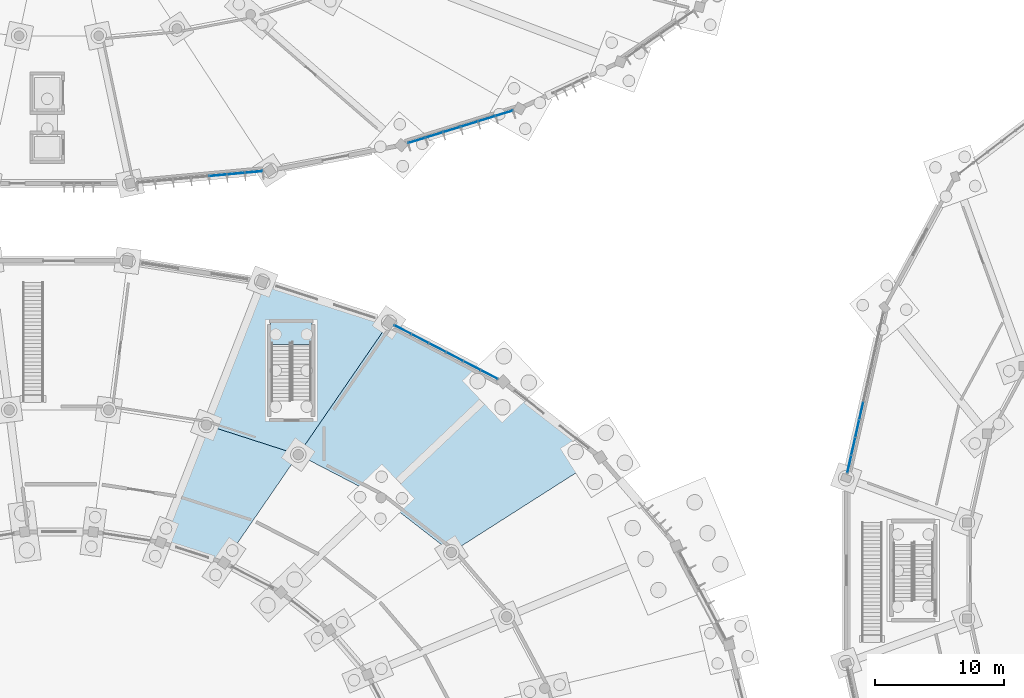
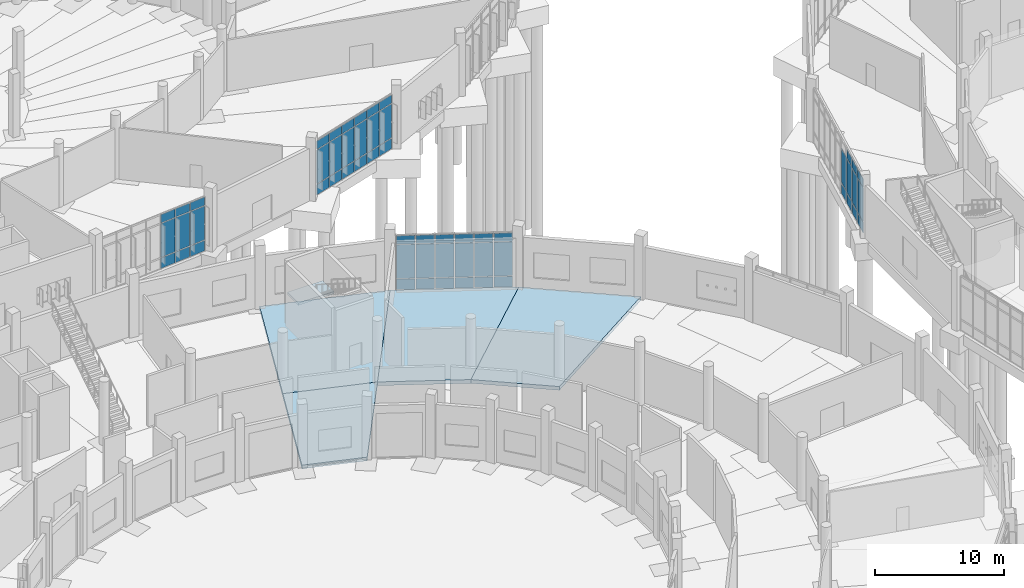
# One storey, part 67 of 140: 56 plates, 5 slabs, 5 elements without a shape of their own.
"""IFC4 building model written with IfcOpenShell, lengths in metres."""

from ifc_helpers import new_model, si_unit, direction, frame, origin, origin_2d, place, context, subcontext, project, spatial, polyline, rectangle, outline, extrude, material, layer, layer_set, type_object, element, aggregate, save


model = new_model("IFC4")

# Units and contexts
model_context = context("Model", 3, precision=1e-05, world=origin(), true_north=direction((0.0, 1.0)))
body_context = subcontext(model_context, "Body", "Model", "MODEL_VIEW")
ifc_project = project(units=[si_unit("LENGTHUNIT", "METRE"), si_unit("AREAUNIT", "SQUARE_METRE"), si_unit("VOLUMEUNIT", "CUBIC_METRE"), si_unit("PLANEANGLEUNIT", "RADIAN"), si_unit("MASSUNIT", "GRAM", prefix="KILO")], contexts=[model_context])

# Site, building, storey
site_placement = place(None, origin())
site = spatial("IfcSite", under=ifc_project, at=site_placement, CompositionType="ELEMENT")
building_placement = place(site_placement, origin())
building = spatial("IfcBuilding", under=site, at=building_placement, Name="Corvandel Quay Wholesale Market", CompositionType="ELEMENT")
storey_placement = place(building_placement, origin())
storey = spatial("IfcBuildingStorey", under=building, at=storey_placement, Name="L00", CompositionType="ELEMENT", Elevation=0.0)

# Curtain wall, plates
ifc_material_1 = material(Name="Bronze anodised aluminium and low-E insulated glazing", Category="aluminium")
ifc_layer_1 = layer(ifc_material_1, 0.174072265625)
ifc_layer_set_1 = layer_set([ifc_layer_1], Name="Bronze anodised aluminium and low-E insulated glazing")
curtain_wall_type_1 = type_object("IfcCurtainWallType", Name="Stick Curtain Wall System CW27 H5430", PredefinedType="NOTDEFINED", material=ifc_layer_set_1)
curtain_wall_1_placement = place(storey_placement, origin())
curtain_wall_1 = element("IfcCurtainWall", 1, at=curtain_wall_1_placement, inside=storey, type_object=curtain_wall_type_1, Name="Curtain Wall CW-0116", PredefinedType="NOTDEFINED")
ifc_material_2 = material(Name="Solar-control low-E insulated glazing", Category="glass")
ifc_layer_2 = layer(ifc_material_2, 0.033935546875)
ifc_layer_set_2 = layer_set([ifc_layer_2], Name="Solar-control low-E insulated glazing")
plate_type_1 = type_object("IfcPlateType", Name="Acoustic Laminated Vision Panel PN02 34mm", PredefinedType="CURTAIN_PANEL", material=ifc_layer_set_2)
plate_1_placement = place(storey_placement, frame((126.3173828125, 90.6279296875, 0.0322265625), z_axis=(0.0, 0.0, 1.0), x_axis=(0.995756880939, 0.092023008338, 0.0)))
plate_1 = element("IfcPlate", 2, at=plate_1_placement, type_object=plate_type_1, Name="Glazing Panel CW-0116-P04-0", PredefinedType="CURTAIN_PANEL", context=body_context, shape_type="SweptSolid", body=[
    extrude(rectangle(XDim=1.3330078125, YDim=0.033935546875, at=origin_2d()), origin(), (0.0, 0.0, 1.0), 0.985107421875),
])
plate_2_placement = place(storey_placement, frame((126.3173828125, 90.6279296875, 1.08251953125), z_axis=(0.0, 0.0, 1.0), x_axis=(0.995756880939, 0.092023008338, 0.0)))
plate_2 = element("IfcPlate", 3, at=plate_2_placement, type_object=plate_type_1, Name="Glazing Panel CW-0116-P04-1", PredefinedType="CURTAIN_PANEL", context=body_context, shape_type="SweptSolid", body=[
    extrude(rectangle(XDim=1.3330078125, YDim=0.033935546875, at=origin_2d()), origin(), (0.0, 0.0, 1.0), 3.18505859375),
])
plate_3_placement = place(storey_placement, frame((127.70947265625, 90.756591796875, 0.0322265625), z_axis=(0.0, 0.0, 1.0), x_axis=(0.995756880939, 0.092023008338, 0.0)))
plate_3 = element("IfcPlate", 4, at=plate_3_placement, type_object=plate_type_1, Name="Glazing Panel CW-0116-P05-0", PredefinedType="CURTAIN_PANEL", context=body_context, shape_type="SweptSolid", body=[
    extrude(rectangle(XDim=1.3330078125, YDim=0.033935546875, at=origin_2d()), origin(), (0.0, 0.0, 1.0), 0.985107421875),
])
plate_4_placement = place(storey_placement, frame((127.70947265625, 90.756591796875, 1.08251953125), z_axis=(0.0, 0.0, 1.0), x_axis=(0.995756880939, 0.092023008338, 0.0)))
plate_4 = element("IfcPlate", 5, at=plate_4_placement, type_object=plate_type_1, Name="Glazing Panel CW-0116-P05-1", PredefinedType="CURTAIN_PANEL", context=body_context, shape_type="SweptSolid", body=[
    extrude(rectangle(XDim=1.3330078125, YDim=0.033935546875, at=origin_2d()), origin(), (0.0, 0.0, 1.0), 3.18505859375),
])
plate_5_placement = place(storey_placement, frame((129.101318359375, 90.885009765625, 0.0322265625), z_axis=(0.0, 0.0, 1.0), x_axis=(0.995756880939, 0.092023008338, 0.0)))
plate_5 = element("IfcPlate", 6, at=plate_5_placement, type_object=plate_type_1, Name="Glazing Panel CW-0116-P06-0", PredefinedType="CURTAIN_PANEL", context=body_context, shape_type="SweptSolid", body=[
    extrude(rectangle(XDim=1.3330078125, YDim=0.033935546875, at=origin_2d()), origin(), (0.0, 0.0, 1.0), 0.985107421875),
])
plate_6_placement = place(storey_placement, frame((129.101318359375, 90.885009765625, 1.08251953125), z_axis=(0.0, 0.0, 1.0), x_axis=(0.995756880939, 0.092023008338, 0.0)))
plate_6 = element("IfcPlate", 7, at=plate_6_placement, type_object=plate_type_1, Name="Glazing Panel CW-0116-P06-1", PredefinedType="CURTAIN_PANEL", context=body_context, shape_type="SweptSolid", body=[
    extrude(rectangle(XDim=1.3330078125, YDim=0.033935546875, at=origin_2d()), origin(), (0.0, 0.0, 1.0), 3.18505859375),
])

ifc_layer_3 = layer(ifc_material_1, 0.162109375)
ifc_layer_set_3 = layer_set([ifc_layer_3], Name="Bronze anodised aluminium and low-E insulated glazing")
curtain_wall_type_2 = type_object("IfcCurtainWallType", Name="Stick Curtain Wall System CW01 H3090", PredefinedType="NOTDEFINED", material=ifc_layer_set_3)
curtain_wall_2_placement = place(storey_placement, origin())
curtain_wall_2 = element("IfcCurtainWall", 8, at=curtain_wall_2_placement, inside=storey, type_object=curtain_wall_type_2, Name="Curtain Wall CW-0122", PredefinedType="NOTDEFINED")
plate_7_placement = place(storey_placement, frame((141.72021484375, 93.329345703125, 0.0322265625), z_axis=(0.0, 0.0, 1.0), x_axis=(0.955123398809, 0.296208192067, 0.0)))
plate_7 = element("IfcPlate", 9, at=plate_7_placement, type_object=plate_type_1, Name="Glazing Panel CW-0122-P00-0", PredefinedType="CURTAIN_PANEL", context=body_context, shape_type="SweptSolid", body=[
    extrude(rectangle(XDim=1.35546875, YDim=0.033935546875, at=origin_2d()), origin(), (0.0, 0.0, 1.0), 0.985107421875),
])
plate_8_placement = place(storey_placement, frame((141.72021484375, 93.329345703125, 1.08251953125), z_axis=(0.0, 0.0, 1.0), x_axis=(0.955123398809, 0.296208192067, 0.0)))
plate_8 = element("IfcPlate", 10, at=plate_8_placement, type_object=plate_type_1, Name="Glazing Panel CW-0122-P00-1", PredefinedType="CURTAIN_PANEL", context=body_context, shape_type="SweptSolid", body=[
    extrude(rectangle(XDim=1.35546875, YDim=0.033935546875, at=origin_2d()), origin(), (0.0, 0.0, 1.0), 3.18505859375),
])
plate_9_placement = place(storey_placement, frame((143.076904296875, 93.750244140625, 0.0322265625), z_axis=(0.0, 0.0, 1.0), x_axis=(0.955123398809, 0.296208192067, 0.0)))
plate_9 = element("IfcPlate", 11, at=plate_9_placement, type_object=plate_type_1, Name="Glazing Panel CW-0122-P01-0", PredefinedType="CURTAIN_PANEL", context=body_context, shape_type="SweptSolid", body=[
    extrude(rectangle(XDim=1.35546875, YDim=0.033935546875, at=origin_2d()), origin(), (0.0, 0.0, 1.0), 0.985107421875),
])
plate_10_placement = place(storey_placement, frame((143.076904296875, 93.750244140625, 1.08251953125), z_axis=(0.0, 0.0, 1.0), x_axis=(0.955123398809, 0.296208192067, 0.0)))
plate_10 = element("IfcPlate", 12, at=plate_10_placement, type_object=plate_type_1, Name="Glazing Panel CW-0122-P01-1", PredefinedType="CURTAIN_PANEL", context=body_context, shape_type="SweptSolid", body=[
    extrude(rectangle(XDim=1.35546875, YDim=0.033935546875, at=origin_2d()), origin(), (0.0, 0.0, 1.0), 3.18505859375),
])
plate_11_placement = place(storey_placement, frame((144.43359375, 94.171142578125, 0.0322265625), z_axis=(0.0, 0.0, 1.0), x_axis=(0.955123398809, 0.296208192067, 0.0)))
plate_11 = element("IfcPlate", 13, at=plate_11_placement, type_object=plate_type_1, Name="Glazing Panel CW-0122-P02-0", PredefinedType="CURTAIN_PANEL", context=body_context, shape_type="SweptSolid", body=[
    extrude(rectangle(XDim=1.35546875, YDim=0.033935546875, at=origin_2d()), origin(), (0.0, 0.0, 1.0), 0.985107421875),
])
plate_12_placement = place(storey_placement, frame((144.43359375, 94.171142578125, 1.08251953125), z_axis=(0.0, 0.0, 1.0), x_axis=(0.955123398809, 0.296208192067, 0.0)))
plate_12 = element("IfcPlate", 14, at=plate_12_placement, type_object=plate_type_1, Name="Glazing Panel CW-0122-P02-1", PredefinedType="CURTAIN_PANEL", context=body_context, shape_type="SweptSolid", body=[
    extrude(rectangle(XDim=1.35546875, YDim=0.033935546875, at=origin_2d()), origin(), (0.0, 0.0, 1.0), 3.18505859375),
])
plate_13_placement = place(storey_placement, frame((145.790283203125, 94.591796875, 0.0322265625), z_axis=(0.0, 0.0, 1.0), x_axis=(0.955123398809, 0.296208192067, 0.0)))
plate_13 = element("IfcPlate", 15, at=plate_13_placement, type_object=plate_type_1, Name="Glazing Panel CW-0122-P03-0", PredefinedType="CURTAIN_PANEL", context=body_context, shape_type="SweptSolid", body=[
    extrude(rectangle(XDim=1.35546875, YDim=0.033935546875, at=origin_2d()), origin(), (0.0, 0.0, 1.0), 0.985107421875),
])
plate_14_placement = place(storey_placement, frame((145.790283203125, 94.591796875, 1.08251953125), z_axis=(0.0, 0.0, 1.0), x_axis=(0.955123398809, 0.296208192067, 0.0)))
plate_14 = element("IfcPlate", 16, at=plate_14_placement, type_object=plate_type_1, Name="Glazing Panel CW-0122-P03-1", PredefinedType="CURTAIN_PANEL", context=body_context, shape_type="SweptSolid", body=[
    extrude(rectangle(XDim=1.35546875, YDim=0.033935546875, at=origin_2d()), origin(), (0.0, 0.0, 1.0), 3.18505859375),
])
plate_15_placement = place(storey_placement, frame((147.147216796875, 95.0126953125, 0.0322265625), z_axis=(0.0, 0.0, 1.0), x_axis=(0.955123398809, 0.296208192067, 0.0)))
plate_15 = element("IfcPlate", 17, at=plate_15_placement, type_object=plate_type_1, Name="Glazing Panel CW-0122-P04-0", PredefinedType="CURTAIN_PANEL", context=body_context, shape_type="SweptSolid", body=[
    extrude(rectangle(XDim=1.35546875, YDim=0.033935546875, at=origin_2d()), origin(), (0.0, 0.0, 1.0), 0.985107421875),
])
plate_16_placement = place(storey_placement, frame((147.147216796875, 95.0126953125, 1.08251953125), z_axis=(0.0, 0.0, 1.0), x_axis=(0.955123398809, 0.296208192067, 0.0)))
plate_16 = element("IfcPlate", 18, at=plate_16_placement, type_object=plate_type_1, Name="Glazing Panel CW-0122-P04-1", PredefinedType="CURTAIN_PANEL", context=body_context, shape_type="SweptSolid", body=[
    extrude(rectangle(XDim=1.35546875, YDim=0.033935546875, at=origin_2d()), origin(), (0.0, 0.0, 1.0), 3.18505859375),
])
plate_17_placement = place(storey_placement, frame((148.50390625, 95.43359375, 0.0322265625), z_axis=(0.0, 0.0, 1.0), x_axis=(0.955123398809, 0.296208192067, 0.0)))
plate_17 = element("IfcPlate", 19, at=plate_17_placement, type_object=plate_type_1, Name="Glazing Panel CW-0122-P05-0", PredefinedType="CURTAIN_PANEL", context=body_context, shape_type="SweptSolid", body=[
    extrude(rectangle(XDim=1.35546875, YDim=0.033935546875, at=origin_2d()), origin(), (0.0, 0.0, 1.0), 0.985107421875),
])
plate_18_placement = place(storey_placement, frame((148.50390625, 95.43359375, 1.08251953125), z_axis=(0.0, 0.0, 1.0), x_axis=(0.955123398809, 0.296208192067, 0.0)))
plate_18 = element("IfcPlate", 20, at=plate_18_placement, type_object=plate_type_1, Name="Glazing Panel CW-0122-P05-1", PredefinedType="CURTAIN_PANEL", context=body_context, shape_type="SweptSolid", body=[
    extrude(rectangle(XDim=1.35546875, YDim=0.033935546875, at=origin_2d()), origin(), (0.0, 0.0, 1.0), 3.18505859375),
])

ifc_layer_4 = layer(ifc_material_1, 0.14990234375)
ifc_layer_set_4 = layer_set([ifc_layer_4], Name="Bronze anodised aluminium and low-E insulated glazing")
curtain_wall_type_3 = type_object("IfcCurtainWallType", Name="Stick Curtain Wall System CW05 H3450", PredefinedType="NOTDEFINED", material=ifc_layer_set_4)
curtain_wall_3_placement = place(storey_placement, origin())
curtain_wall_3 = element("IfcCurtainWall", 21, at=curtain_wall_3_placement, inside=storey, type_object=curtain_wall_type_3, Name="Curtain Wall CW-0012", PredefinedType="NOTDEFINED")
ifc_layer_5 = layer(ifc_material_2, 0.0400390625)
ifc_layer_set_5 = layer_set([ifc_layer_5], Name="Solar-control low-E insulated glazing")
plate_type_2 = type_object("IfcPlateType", Name="Ceramic Fritted Spandrel Panel PN03 40mm", PredefinedType="CURTAIN_PANEL", material=ifc_layer_set_5)
plate_19_placement = place(storey_placement, frame((147.353271484375, 75.179931640625, 4.33251953125), z_axis=(0.0, 0.0, 1.0), x_axis=(-0.887332978338, 0.461129250378, 0.0)))
plate_19 = element("IfcPlate", 22, at=plate_19_placement, type_object=plate_type_2, Name="Glazing Panel CW-0012-P00-2", PredefinedType="CURTAIN_PANEL", context=body_context, shape_type="SweptSolid", body=[
    extrude(rectangle(XDim=1.4462890625, YDim=0.0400390625, at=origin_2d()), origin(), (0.0, 0.0, 1.0), 0.784912109375),
])
plate_20_placement = place(storey_placement, frame((146.01220703125, 75.876708984375, 4.33251953125), z_axis=(0.0, 0.0, 1.0), x_axis=(-0.887332978338, 0.461129250378, 0.0)))
plate_20 = element("IfcPlate", 23, at=plate_20_placement, type_object=plate_type_2, Name="Glazing Panel CW-0012-P01-2", PredefinedType="CURTAIN_PANEL", context=body_context, shape_type="SweptSolid", body=[
    extrude(rectangle(XDim=1.4462890625, YDim=0.0400390625, at=origin_2d()), origin(), (0.0, 0.0, 1.0), 0.784912109375),
])
plate_21_placement = place(storey_placement, frame((144.67138671875, 76.573486328125, 4.33251953125), z_axis=(0.0, 0.0, 1.0), x_axis=(-0.887332978338, 0.461129250378, 0.0)))
plate_21 = element("IfcPlate", 24, at=plate_21_placement, type_object=plate_type_2, Name="Glazing Panel CW-0012-P02-2", PredefinedType="CURTAIN_PANEL", context=body_context, shape_type="SweptSolid", body=[
    extrude(rectangle(XDim=1.4462890625, YDim=0.0400390625, at=origin_2d()), origin(), (0.0, 0.0, 1.0), 0.784912109375),
])
plate_22_placement = place(storey_placement, frame((143.33056640625, 77.2705078125, 4.33251953125), z_axis=(0.0, 0.0, 1.0), x_axis=(-0.887332978338, 0.461129250378, 0.0)))
plate_22 = element("IfcPlate", 25, at=plate_22_placement, type_object=plate_type_2, Name="Glazing Panel CW-0012-P03-2", PredefinedType="CURTAIN_PANEL", context=body_context, shape_type="SweptSolid", body=[
    extrude(rectangle(XDim=1.4462890625, YDim=0.0400390625, at=origin_2d()), origin(), (0.0, 0.0, 1.0), 0.784912109375),
])
plate_23_placement = place(storey_placement, frame((141.989501953125, 77.96728515625, 4.33251953125), z_axis=(0.0, 0.0, 1.0), x_axis=(-0.887332978338, 0.461129250378, 0.0)))
plate_23 = element("IfcPlate", 26, at=plate_23_placement, type_object=plate_type_2, Name="Glazing Panel CW-0012-P04-2", PredefinedType="CURTAIN_PANEL", context=body_context, shape_type="SweptSolid", body=[
    extrude(rectangle(XDim=1.4462890625, YDim=0.0400390625, at=origin_2d()), origin(), (0.0, 0.0, 1.0), 0.784912109375),
])
plate_24_placement = place(storey_placement, frame((140.648681640625, 78.6640625, 4.33251953125), z_axis=(0.0, 0.0, 1.0), x_axis=(-0.887332978338, 0.461129250378, 0.0)))
plate_24 = element("IfcPlate", 27, at=plate_24_placement, type_object=plate_type_2, Name="Glazing Panel CW-0012-P05-2", PredefinedType="CURTAIN_PANEL", context=body_context, shape_type="SweptSolid", body=[
    extrude(rectangle(XDim=1.4462890625, YDim=0.0400390625, at=origin_2d()), origin(), (0.0, 0.0, 1.0), 0.784912109375),
])

# Plate
plate_25_placement = place(storey_placement, frame((126.3173828125, 90.6279296875, 4.33251953125), z_axis=(0.0, 0.0, 1.0), x_axis=(0.995756880939, 0.092023008338, 0.0)))
plate_25 = element("IfcPlate", 28, at=plate_25_placement, type_object=plate_type_2, Name="Glazing Panel CW-0116-P04-2", PredefinedType="CURTAIN_PANEL", context=body_context, shape_type="SweptSolid", body=[
    extrude(rectangle(XDim=1.3330078125, YDim=0.0400390625, at=origin_2d()), origin(), (0.0, 0.0, 1.0), 0.784912109375),
])

plate_26_placement = place(storey_placement, frame((127.70947265625, 90.756591796875, 4.33251953125), z_axis=(0.0, 0.0, 1.0), x_axis=(0.995756880939, 0.092023008338, 0.0)))
plate_26 = element("IfcPlate", 29, at=plate_26_placement, type_object=plate_type_2, Name="Glazing Panel CW-0116-P05-2", PredefinedType="CURTAIN_PANEL", context=body_context, shape_type="SweptSolid", body=[
    extrude(rectangle(XDim=1.3330078125, YDim=0.0400390625, at=origin_2d()), origin(), (0.0, 0.0, 1.0), 0.784912109375),
])

plate_27_placement = place(storey_placement, frame((129.101318359375, 90.885009765625, 4.33251953125), z_axis=(0.0, 0.0, 1.0), x_axis=(0.995756880939, 0.092023008338, 0.0)))
plate_27 = element("IfcPlate", 30, at=plate_27_placement, type_object=plate_type_2, Name="Glazing Panel CW-0116-P06-2", PredefinedType="CURTAIN_PANEL", context=body_context, shape_type="SweptSolid", body=[
    extrude(rectangle(XDim=1.3330078125, YDim=0.0400390625, at=origin_2d()), origin(), (0.0, 0.0, 1.0), 0.784912109375),
])

aggregate(curtain_wall_1, [plate_1, plate_2, plate_25, plate_3, plate_4, plate_26, plate_5, plate_6, plate_27])

plate_28_placement = place(storey_placement, frame((141.72021484375, 93.329345703125, 4.33251953125), z_axis=(0.0, 0.0, 1.0), x_axis=(0.955123398809, 0.296208192067, 0.0)))
plate_28 = element("IfcPlate", 31, at=plate_28_placement, type_object=plate_type_2, Name="Glazing Panel CW-0122-P00-2", PredefinedType="CURTAIN_PANEL", context=body_context, shape_type="SweptSolid", body=[
    extrude(rectangle(XDim=1.35546875, YDim=0.0400390625, at=origin_2d()), origin(), (0.0, 0.0, 1.0), 0.784912109375),
])

plate_29_placement = place(storey_placement, frame((143.076904296875, 93.750244140625, 4.33251953125), z_axis=(0.0, 0.0, 1.0), x_axis=(0.955123398809, 0.296208192067, 0.0)))
plate_29 = element("IfcPlate", 32, at=plate_29_placement, type_object=plate_type_2, Name="Glazing Panel CW-0122-P01-2", PredefinedType="CURTAIN_PANEL", context=body_context, shape_type="SweptSolid", body=[
    extrude(rectangle(XDim=1.35546875, YDim=0.0400390625, at=origin_2d()), origin(), (0.0, 0.0, 1.0), 0.784912109375),
])

plate_30_placement = place(storey_placement, frame((144.43359375, 94.171142578125, 4.33251953125), z_axis=(0.0, 0.0, 1.0), x_axis=(0.955123398809, 0.296208192067, 0.0)))
plate_30 = element("IfcPlate", 33, at=plate_30_placement, type_object=plate_type_2, Name="Glazing Panel CW-0122-P02-2", PredefinedType="CURTAIN_PANEL", context=body_context, shape_type="SweptSolid", body=[
    extrude(rectangle(XDim=1.35546875, YDim=0.0400390625, at=origin_2d()), origin(), (0.0, 0.0, 1.0), 0.784912109375),
])

plate_31_placement = place(storey_placement, frame((145.790283203125, 94.591796875, 4.33251953125), z_axis=(0.0, 0.0, 1.0), x_axis=(0.955123398809, 0.296208192067, 0.0)))
plate_31 = element("IfcPlate", 34, at=plate_31_placement, type_object=plate_type_2, Name="Glazing Panel CW-0122-P03-2", PredefinedType="CURTAIN_PANEL", context=body_context, shape_type="SweptSolid", body=[
    extrude(rectangle(XDim=1.35546875, YDim=0.0400390625, at=origin_2d()), origin(), (0.0, 0.0, 1.0), 0.784912109375),
])

plate_32_placement = place(storey_placement, frame((147.147216796875, 95.0126953125, 4.33251953125), z_axis=(0.0, 0.0, 1.0), x_axis=(0.955123398809, 0.296208192067, 0.0)))
plate_32 = element("IfcPlate", 35, at=plate_32_placement, type_object=plate_type_2, Name="Glazing Panel CW-0122-P04-2", PredefinedType="CURTAIN_PANEL", context=body_context, shape_type="SweptSolid", body=[
    extrude(rectangle(XDim=1.35546875, YDim=0.0400390625, at=origin_2d()), origin(), (0.0, 0.0, 1.0), 0.784912109375),
])

plate_33_placement = place(storey_placement, frame((148.50390625, 95.43359375, 4.33251953125), z_axis=(0.0, 0.0, 1.0), x_axis=(0.955123398809, 0.296208192067, 0.0)))
plate_33 = element("IfcPlate", 36, at=plate_33_placement, type_object=plate_type_2, Name="Glazing Panel CW-0122-P05-2", PredefinedType="CURTAIN_PANEL", context=body_context, shape_type="SweptSolid", body=[
    extrude(rectangle(XDim=1.35546875, YDim=0.0400390625, at=origin_2d()), origin(), (0.0, 0.0, 1.0), 0.784912109375),
])

aggregate(curtain_wall_2, [plate_7, plate_8, plate_28, plate_9, plate_10, plate_29, plate_11, plate_12, plate_30, plate_13, plate_14, plate_31, plate_15, plate_16, plate_32, plate_17, plate_18, plate_33])

# Curtain wall, plates
ifc_layer_6 = layer(ifc_material_1, 0.18603515625)
ifc_layer_set_6 = layer_set([ifc_layer_6], Name="Bronze anodised aluminium and low-E insulated glazing")
curtain_wall_type_4 = type_object("IfcCurtainWallType", Name="Stick Curtain Wall System CW08 H3720", PredefinedType="NOTDEFINED", material=ifc_layer_set_6)
curtain_wall_4_placement = place(storey_placement, origin())
curtain_wall_4 = element("IfcCurtainWall", 37, at=curtain_wall_4_placement, inside=storey, type_object=curtain_wall_type_4, Name="Curtain Wall CW-0135", PredefinedType="NOTDEFINED")
plate_34_placement = place(storey_placement, frame((175.86376953125, 71.009765625, 4.33251953125), z_axis=(0.0, 0.0, 1.0), x_axis=(0.218994806262, 0.975726024471, 0.0)))
plate_34 = element("IfcPlate", 38, at=plate_34_placement, type_object=plate_type_2, Name="Glazing Panel CW-0135-P06-2", PredefinedType="CURTAIN_PANEL", context=body_context, shape_type="SweptSolid", body=[
    extrude(rectangle(XDim=1.352783203125, YDim=0.0400390625, at=origin_2d()), origin(), (0.0, 0.0, 1.0), 0.784912109375),
])
plate_35_placement = place(storey_placement, frame((175.55322265625, 69.62646484375, 4.33251953125), z_axis=(0.0, 0.0, 1.0), x_axis=(0.218994806262, 0.975726024471, 0.0)))
plate_35 = element("IfcPlate", 39, at=plate_35_placement, type_object=plate_type_2, Name="Glazing Panel CW-0135-P07-2", PredefinedType="CURTAIN_PANEL", context=body_context, shape_type="SweptSolid", body=[
    extrude(rectangle(XDim=1.352783203125, YDim=0.0400390625, at=origin_2d()), origin(), (0.0, 0.0, 1.0), 0.784912109375),
])
plate_36_placement = place(storey_placement, frame((175.242919921875, 68.242919921875, 4.33251953125), z_axis=(0.0, 0.0, 1.0), x_axis=(0.218994806262, 0.975726024471, 0.0)))
plate_36 = element("IfcPlate", 40, at=plate_36_placement, type_object=plate_type_2, Name="Glazing Panel CW-0135-P08-2", PredefinedType="CURTAIN_PANEL", context=body_context, shape_type="SweptSolid", body=[
    extrude(rectangle(XDim=1.352783203125, YDim=0.0400390625, at=origin_2d()), origin(), (0.0, 0.0, 1.0), 0.784912109375),
])

# Plate
ifc_layer_7 = layer(ifc_material_2, 0.028076171875)
ifc_layer_set_7 = layer_set([ifc_layer_7], Name="Solar-control low-E insulated glazing")
plate_type_3 = type_object("IfcPlateType", Name="Double Low-E Vision Panel PN01 28mm", PredefinedType="CURTAIN_PANEL", material=ifc_layer_set_7)
plate_37_placement = place(storey_placement, frame((147.353271484375, 75.179931640625, 0.0322265625), z_axis=(0.0, 0.0, 1.0), x_axis=(-0.887332978338, 0.461129250378, 0.0)))
plate_37 = element("IfcPlate", 41, at=plate_37_placement, type_object=plate_type_3, Name="Glazing Panel CW-0012-P00-0", PredefinedType="CURTAIN_PANEL", context=body_context, shape_type="SweptSolid", body=[
    extrude(rectangle(XDim=1.4462890625, YDim=0.028076171875, at=origin_2d()), origin(), (0.0, 0.0, 1.0), 0.985107421875),
])

plate_38_placement = place(storey_placement, frame((147.353271484375, 75.179931640625, 1.08251953125), z_axis=(0.0, 0.0, 1.0), x_axis=(-0.887332978338, 0.461129250378, 0.0)))
plate_38 = element("IfcPlate", 42, at=plate_38_placement, type_object=plate_type_3, Name="Glazing Panel CW-0012-P00-1", PredefinedType="CURTAIN_PANEL", context=body_context, shape_type="SweptSolid", body=[
    extrude(rectangle(XDim=1.4462890625, YDim=0.028076171875, at=origin_2d()), origin(), (0.0, 0.0, 1.0), 3.18505859375),
])

plate_39_placement = place(storey_placement, frame((146.01220703125, 75.876708984375, 0.0322265625), z_axis=(0.0, 0.0, 1.0), x_axis=(-0.887332978338, 0.461129250378, 0.0)))
plate_39 = element("IfcPlate", 43, at=plate_39_placement, type_object=plate_type_3, Name="Glazing Panel CW-0012-P01-0", PredefinedType="CURTAIN_PANEL", context=body_context, shape_type="SweptSolid", body=[
    extrude(rectangle(XDim=1.4462890625, YDim=0.028076171875, at=origin_2d()), origin(), (0.0, 0.0, 1.0), 0.985107421875),
])

plate_40_placement = place(storey_placement, frame((146.01220703125, 75.876708984375, 1.08251953125), z_axis=(0.0, 0.0, 1.0), x_axis=(-0.887332978338, 0.461129250378, 0.0)))
plate_40 = element("IfcPlate", 44, at=plate_40_placement, type_object=plate_type_3, Name="Glazing Panel CW-0012-P01-1", PredefinedType="CURTAIN_PANEL", context=body_context, shape_type="SweptSolid", body=[
    extrude(rectangle(XDim=1.4462890625, YDim=0.028076171875, at=origin_2d()), origin(), (0.0, 0.0, 1.0), 3.18505859375),
])

plate_41_placement = place(storey_placement, frame((144.67138671875, 76.573486328125, 0.0322265625), z_axis=(0.0, 0.0, 1.0), x_axis=(-0.887332978338, 0.461129250378, 0.0)))
plate_41 = element("IfcPlate", 45, at=plate_41_placement, type_object=plate_type_3, Name="Glazing Panel CW-0012-P02-0", PredefinedType="CURTAIN_PANEL", context=body_context, shape_type="SweptSolid", body=[
    extrude(rectangle(XDim=1.4462890625, YDim=0.028076171875, at=origin_2d()), origin(), (0.0, 0.0, 1.0), 0.985107421875),
])

plate_42_placement = place(storey_placement, frame((144.67138671875, 76.573486328125, 1.08251953125), z_axis=(0.0, 0.0, 1.0), x_axis=(-0.887332978338, 0.461129250378, 0.0)))
plate_42 = element("IfcPlate", 46, at=plate_42_placement, type_object=plate_type_3, Name="Glazing Panel CW-0012-P02-1", PredefinedType="CURTAIN_PANEL", context=body_context, shape_type="SweptSolid", body=[
    extrude(rectangle(XDim=1.4462890625, YDim=0.028076171875, at=origin_2d()), origin(), (0.0, 0.0, 1.0), 3.18505859375),
])

plate_43_placement = place(storey_placement, frame((143.33056640625, 77.2705078125, 0.0322265625), z_axis=(0.0, 0.0, 1.0), x_axis=(-0.887332978338, 0.461129250378, 0.0)))
plate_43 = element("IfcPlate", 47, at=plate_43_placement, type_object=plate_type_3, Name="Glazing Panel CW-0012-P03-0", PredefinedType="CURTAIN_PANEL", context=body_context, shape_type="SweptSolid", body=[
    extrude(rectangle(XDim=1.4462890625, YDim=0.028076171875, at=origin_2d()), origin(), (0.0, 0.0, 1.0), 0.985107421875),
])

plate_44_placement = place(storey_placement, frame((143.33056640625, 77.2705078125, 1.08251953125), z_axis=(0.0, 0.0, 1.0), x_axis=(-0.887332978338, 0.461129250378, 0.0)))
plate_44 = element("IfcPlate", 48, at=plate_44_placement, type_object=plate_type_3, Name="Glazing Panel CW-0012-P03-1", PredefinedType="CURTAIN_PANEL", context=body_context, shape_type="SweptSolid", body=[
    extrude(rectangle(XDim=1.4462890625, YDim=0.028076171875, at=origin_2d()), origin(), (0.0, 0.0, 1.0), 3.18505859375),
])

plate_45_placement = place(storey_placement, frame((141.989501953125, 77.96728515625, 0.0322265625), z_axis=(0.0, 0.0, 1.0), x_axis=(-0.887332978338, 0.461129250378, 0.0)))
plate_45 = element("IfcPlate", 49, at=plate_45_placement, type_object=plate_type_3, Name="Glazing Panel CW-0012-P04-0", PredefinedType="CURTAIN_PANEL", context=body_context, shape_type="SweptSolid", body=[
    extrude(rectangle(XDim=1.4462890625, YDim=0.028076171875, at=origin_2d()), origin(), (0.0, 0.0, 1.0), 0.985107421875),
])

plate_46_placement = place(storey_placement, frame((141.989501953125, 77.96728515625, 1.08251953125), z_axis=(0.0, 0.0, 1.0), x_axis=(-0.887332978338, 0.461129250378, 0.0)))
plate_46 = element("IfcPlate", 50, at=plate_46_placement, type_object=plate_type_3, Name="Glazing Panel CW-0012-P04-1", PredefinedType="CURTAIN_PANEL", context=body_context, shape_type="SweptSolid", body=[
    extrude(rectangle(XDim=1.4462890625, YDim=0.028076171875, at=origin_2d()), origin(), (0.0, 0.0, 1.0), 3.18505859375),
])

plate_47_placement = place(storey_placement, frame((140.648681640625, 78.6640625, 0.0322265625), z_axis=(0.0, 0.0, 1.0), x_axis=(-0.887332978338, 0.461129250378, 0.0)))
plate_47 = element("IfcPlate", 51, at=plate_47_placement, type_object=plate_type_3, Name="Glazing Panel CW-0012-P05-0", PredefinedType="CURTAIN_PANEL", context=body_context, shape_type="SweptSolid", body=[
    extrude(rectangle(XDim=1.4462890625, YDim=0.028076171875, at=origin_2d()), origin(), (0.0, 0.0, 1.0), 0.985107421875),
])

plate_48_placement = place(storey_placement, frame((140.648681640625, 78.6640625, 1.08251953125), z_axis=(0.0, 0.0, 1.0), x_axis=(-0.887332978338, 0.461129250378, 0.0)))
plate_48 = element("IfcPlate", 52, at=plate_48_placement, type_object=plate_type_3, Name="Glazing Panel CW-0012-P05-1", PredefinedType="CURTAIN_PANEL", context=body_context, shape_type="SweptSolid", body=[
    extrude(rectangle(XDim=1.4462890625, YDim=0.028076171875, at=origin_2d()), origin(), (0.0, 0.0, 1.0), 3.18505859375),
])

aggregate(curtain_wall_3, [plate_37, plate_38, plate_19, plate_39, plate_40, plate_20, plate_41, plate_42, plate_21, plate_43, plate_44, plate_22, plate_45, plate_46, plate_23, plate_47, plate_48, plate_24])

plate_49_placement = place(storey_placement, frame((176.174072265625, 72.39306640625, 0.0322265625), z_axis=(0.0, 0.0, 1.0), x_axis=(0.218994806262, 0.975726024471, 0.0)))
plate_49 = element("IfcPlate", 53, at=plate_49_placement, type_object=plate_type_3, Name="Glazing Panel CW-0135-P05-0", PredefinedType="CURTAIN_PANEL", context=body_context, shape_type="SweptSolid", body=[
    extrude(rectangle(XDim=1.352783203125, YDim=0.028076171875, at=origin_2d()), origin(), (0.0, 0.0, 1.0), 0.985107421875),
])

plate_50_placement = place(storey_placement, frame((176.174072265625, 72.39306640625, 1.08251953125), z_axis=(0.0, 0.0, 1.0), x_axis=(0.218994806262, 0.975726024471, 0.0)))
plate_50 = element("IfcPlate", 54, at=plate_50_placement, type_object=plate_type_3, Name="Glazing Panel CW-0135-P05-1", PredefinedType="CURTAIN_PANEL", context=body_context, shape_type="SweptSolid", body=[
    extrude(rectangle(XDim=1.352783203125, YDim=0.028076171875, at=origin_2d()), origin(), (0.0, 0.0, 1.0), 3.18505859375),
])

plate_51_placement = place(storey_placement, frame((175.86376953125, 71.009765625, 0.0322265625), z_axis=(0.0, 0.0, 1.0), x_axis=(0.218994806262, 0.975726024471, 0.0)))
plate_51 = element("IfcPlate", 55, at=plate_51_placement, type_object=plate_type_3, Name="Glazing Panel CW-0135-P06-0", PredefinedType="CURTAIN_PANEL", context=body_context, shape_type="SweptSolid", body=[
    extrude(rectangle(XDim=1.352783203125, YDim=0.028076171875, at=origin_2d()), origin(), (0.0, 0.0, 1.0), 0.985107421875),
])

plate_52_placement = place(storey_placement, frame((175.86376953125, 71.009765625, 1.08251953125), z_axis=(0.0, 0.0, 1.0), x_axis=(0.218994806262, 0.975726024471, 0.0)))
plate_52 = element("IfcPlate", 56, at=plate_52_placement, type_object=plate_type_3, Name="Glazing Panel CW-0135-P06-1", PredefinedType="CURTAIN_PANEL", context=body_context, shape_type="SweptSolid", body=[
    extrude(rectangle(XDim=1.352783203125, YDim=0.028076171875, at=origin_2d()), origin(), (0.0, 0.0, 1.0), 3.18505859375),
])

plate_53_placement = place(storey_placement, frame((175.55322265625, 69.62646484375, 0.0322265625), z_axis=(0.0, 0.0, 1.0), x_axis=(0.218994806262, 0.975726024471, 0.0)))
plate_53 = element("IfcPlate", 57, at=plate_53_placement, type_object=plate_type_3, Name="Glazing Panel CW-0135-P07-0", PredefinedType="CURTAIN_PANEL", context=body_context, shape_type="SweptSolid", body=[
    extrude(rectangle(XDim=1.352783203125, YDim=0.028076171875, at=origin_2d()), origin(), (0.0, 0.0, 1.0), 0.985107421875),
])

plate_54_placement = place(storey_placement, frame((175.55322265625, 69.62646484375, 1.08251953125), z_axis=(0.0, 0.0, 1.0), x_axis=(0.218994806262, 0.975726024471, 0.0)))
plate_54 = element("IfcPlate", 58, at=plate_54_placement, type_object=plate_type_3, Name="Glazing Panel CW-0135-P07-1", PredefinedType="CURTAIN_PANEL", context=body_context, shape_type="SweptSolid", body=[
    extrude(rectangle(XDim=1.352783203125, YDim=0.028076171875, at=origin_2d()), origin(), (0.0, 0.0, 1.0), 3.18505859375),
])

plate_55_placement = place(storey_placement, frame((175.242919921875, 68.242919921875, 0.0322265625), z_axis=(0.0, 0.0, 1.0), x_axis=(0.218994806262, 0.975726024471, 0.0)))
plate_55 = element("IfcPlate", 59, at=plate_55_placement, type_object=plate_type_3, Name="Glazing Panel CW-0135-P08-0", PredefinedType="CURTAIN_PANEL", context=body_context, shape_type="SweptSolid", body=[
    extrude(rectangle(XDim=1.352783203125, YDim=0.028076171875, at=origin_2d()), origin(), (0.0, 0.0, 1.0), 0.985107421875),
])

plate_56_placement = place(storey_placement, frame((175.242919921875, 68.242919921875, 1.08251953125), z_axis=(0.0, 0.0, 1.0), x_axis=(0.218994806262, 0.975726024471, 0.0)))
plate_56 = element("IfcPlate", 60, at=plate_56_placement, type_object=plate_type_3, Name="Glazing Panel CW-0135-P08-1", PredefinedType="CURTAIN_PANEL", context=body_context, shape_type="SweptSolid", body=[
    extrude(rectangle(XDim=1.352783203125, YDim=0.028076171875, at=origin_2d()), origin(), (0.0, 0.0, 1.0), 3.18505859375),
])

aggregate(curtain_wall_4, [plate_49, plate_50, plate_51, plate_52, plate_34, plate_53, plate_54, plate_35, plate_55, plate_56, plate_36])

# Slabs
ifc_material_3 = material(Name="Concrete C40/50", Category="concrete")
ifc_layer_8 = layer(ifc_material_3, 0.35009765625)
ifc_layer_set_8 = layer_set([ifc_layer_8], Name="Concrete C40/50")
slab_type_1 = type_object("IfcSlabType", Name="Ground Bearing Base Slab 350", PredefinedType="BASESLAB", material=ifc_layer_set_8)
slab_1_placement = place(storey_placement, frame((0.0, 0.0, -0.35009765625)))
element("IfcSlab", 61, at=slab_1_placement, inside=storey, type_object=slab_type_1, Name="Slab SLB-0017", PredefinedType="BASESLAB", context=body_context, shape_type="SweptSolid", body=[
    extrude(outline(polyline([(155.945068359375, 68.77294921875), (148.423095703125, 74.6240234375), (138.95703125, 65.652099609375), (144.409912109375, 61.410888671875), (155.945068359375, 68.77294921875)])), origin(), (0.0, 0.0, 1.0), 0.35009765625),
])
slab_2_placement = place(storey_placement, frame((0.0, 0.0, -0.35009765625)))
element("IfcSlab", 62, at=slab_2_placement, inside=storey, type_object=slab_type_1, Name="Slab SLB-0022", PredefinedType="BASESLAB", context=body_context, shape_type="SweptSolid", body=[
    extrude(outline(polyline([(148.423095703125, 74.6240234375), (139.5791015625, 79.219970703125), (132.5439453125, 68.98388671875), (138.95703125, 65.652099609375), (148.423095703125, 74.6240234375)])), origin(), (0.0, 0.0, 1.0), 0.35009765625),
])
slab_3_placement = place(storey_placement, frame((0.0, 0.0, -0.35009765625)))
element("IfcSlab", 63, at=slab_3_placement, inside=storey, type_object=slab_type_1, Name="Slab SLB-0027", PredefinedType="BASESLAB", context=body_context, shape_type="SweptSolid", body=[
    extrude(outline(polyline([(139.5791015625, 79.219970703125), (129.7509765625, 82.385986328125), (125.419921875, 71.280029296875), (132.5439453125, 68.98388671875), (139.5791015625, 79.219970703125)])), origin(), (0.0, 0.0, 1.0), 0.35009765625),
])
slab_4_placement = place(storey_placement, frame((0.0, 0.0, -0.35009765625)))
element("IfcSlab", 64, at=slab_4_placement, inside=storey, type_object=slab_type_1, Name="Slab SLB-0028", PredefinedType="BASESLAB", context=body_context, shape_type="SweptSolid", body=[
    extrude(outline(polyline([(132.5439453125, 68.98388671875), (125.419921875, 71.280029296875), (121.8759765625, 62.193115234375), (126.7890625, 60.610107421875), (132.5439453125, 68.98388671875)])), origin(), (0.0, 0.0, 1.0), 0.35009765625),
])

# Stair, slab
stair_type = type_object("IfcStairType", Name="Exit Stair Two-Return L00-L01 ST01", PredefinedType="USERDEFINED", material=ifc_material_3)
stair_placement = place(storey_placement, origin())
stair = element("IfcStair", 65, at=stair_placement, inside=storey, type_object=stair_type, Name="Exit Stair STR-003", ObjectType="TWO_RETURN_STAIR", PredefinedType="USERDEFINED")
ifc_layer_9 = layer(ifc_material_3, 0.219970703125)
ifc_layer_set_9 = layer_set([ifc_layer_9], Name="Concrete C40/50")
slab_type_2 = type_object("IfcSlabType", Name="Precast Stair Landing LND01 220", PredefinedType="LANDING", material=ifc_layer_set_9)
slab_5_placement = place(storey_placement, frame((0.0, 0.0, 2.780029296875)))
slab_5 = element("IfcSlab", 66, at=slab_5_placement, type_object=slab_type_2, Name="Stair Landing STR-003-LND", PredefinedType="LANDING", context=body_context, shape_type="SweptSolid", body=[
    extrude(outline(polyline([(130.409912109375, 77.530029296875), (133.590087890625, 77.530029296875), (133.590087890625, 79.239990234375), (130.409912109375, 79.239990234375), (130.409912109375, 77.530029296875)])), origin(), (0.0, 0.0, 1.0), 0.219970703125),
])
aggregate(stair, [slab_5])

save(model, "model.ifc")
